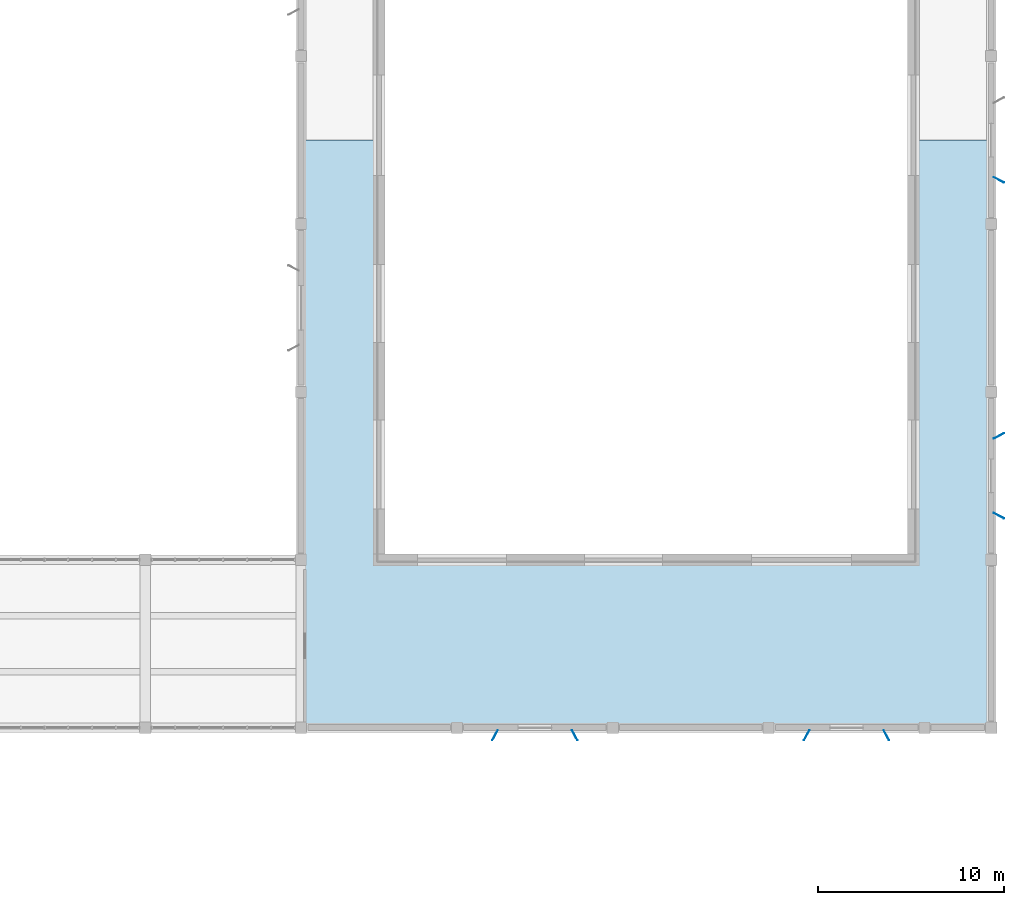
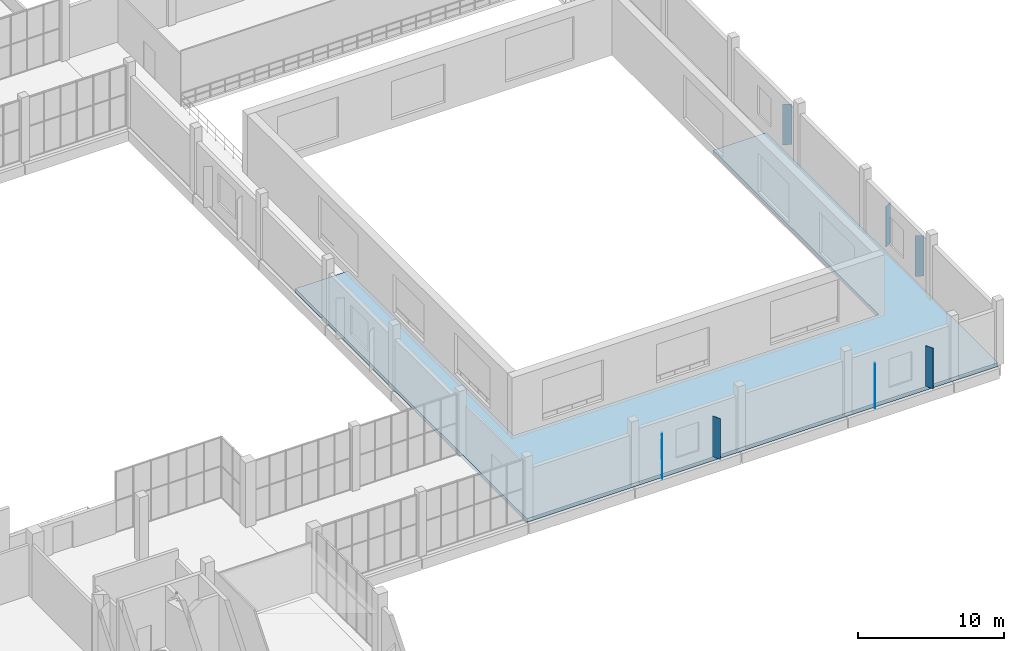
# One storey, part 109 of 132: 7 plates, 1 slab.
"""IFC4 building model written with IfcOpenShell, lengths in metres."""

from ifc_helpers import new_model, si_unit, direction, frame, origin, origin_2d, place, context, subcontext, project, spatial, polyline, rectangle, outline, extrude, material, layer, layer_set, type_object, element, save


model = new_model("IFC4")

# Units and contexts
model_context = context("Model", 3, precision=1e-05, world=origin(), true_north=direction((0.0, 1.0)))
body_context = subcontext(model_context, "Body", "Model", "MODEL_VIEW")
ifc_project = project(units=[si_unit("LENGTHUNIT", "METRE"), si_unit("AREAUNIT", "SQUARE_METRE"), si_unit("VOLUMEUNIT", "CUBIC_METRE"), si_unit("PLANEANGLEUNIT", "RADIAN"), si_unit("MASSUNIT", "GRAM", prefix="KILO")], contexts=[model_context])

# Site, building, storey
site_placement = place(None, origin())
site = spatial("IfcSite", under=ifc_project, at=site_placement, CompositionType="ELEMENT")
building_placement = place(site_placement, origin())
building = spatial("IfcBuilding", under=site, at=building_placement, Name="Khurvash Pelagic Aquarium", CompositionType="ELEMENT")
storey_placement = place(building_placement, frame((0.0, 0.0, 5.39990234375)))
storey = spatial("IfcBuildingStorey", under=building, at=storey_placement, Name="L01", CompositionType="ELEMENT", Elevation=5.39990234375)

# Slab
ifc_material_1 = material(Name="Concrete C40/50", Category="concrete")
ifc_layer_1 = layer(ifc_material_1, 0.31005859375)
ifc_layer_set_1 = layer_set([ifc_layer_1], Name="Concrete C40/50")
slab_type = type_object("IfcSlabType", Name="FS-310", PredefinedType="FLOOR", material=ifc_layer_set_1)
slab_placement = place(storey_placement, frame((0.0, 0.0, -0.309814453125)))
element("IfcSlab", 1, at=slab_placement, inside=storey, type_object=slab_type, Name="L01 Structural Floor Slab FS-310 V1_TANK.1", PredefinedType="FLOOR", context=body_context, shape_type="SweptSolid", body=[
    extrude(outline(polyline([(159.0, 52.375), (159.0, 29.75), (130.199951171875, 29.75), (130.199951171875, 52.375), (126.0, 52.375), (126.0, 20.699951171875), (163.199951171875, 20.699951171875), (163.199951171875, 52.375), (159.0, 52.375)])), origin(), (0.0, 0.0, 1.0), 0.309814453125),
])

# Plates
ifc_material_2 = material(Name="Anodised aluminium AW-5005", Category="aluminium")
ifc_layer_2 = layer(ifc_material_2, 0.02392578125)
ifc_layer_set_2 = layer_set([ifc_layer_2], Name="Anodised aluminium AW-5005")
plate_type = type_object("IfcPlateType", Name="SP-01", PredefinedType="SHEET", material=ifc_layer_set_2)
for number, where, z_axis, x_axis, name in (
    (2, (163.60791015625, 32.125, 0.150146484375), (0.0, 0.0, 1.0), (0.882947592859, -0.469471562786, 0.0), "L01 Parametric Folded Aluminium Solar Screen Fin SP-01 0125"),
    (3, (163.60791015625, 36.425048828125, 0.150146484375), (0.0, 0.0, 1.0), (0.882947592859, 0.469471562786, 0.0), "L01 Parametric Folded Aluminium Solar Screen Fin SP-01 0126"),
    (4, (163.60791015625, 50.22509765625, 0.150146484375), (0.0, 0.0, 1.0), (0.882947592859, -0.469471562786, 0.0), "L01 Parametric Folded Aluminium Solar Screen Fin SP-01 0127"),
    (5, (136.449951171875, 20.2919921875, 0.150146484375), (0.0, 0.0, 1.0), (-0.469471562786, -0.882947592859, 0.0), "L01 Parametric Folded Aluminium Solar Screen Fin SP-01 0131"),
    (6, (140.75, 20.2919921875, 0.150146484375), (0.0, 0.0, 1.0), (0.469471562786, -0.882947592859, 0.0), "L01 Parametric Folded Aluminium Solar Screen Fin SP-01 0132"),
    (7, (153.25, 20.2919921875, 0.150146484375), (0.0, 0.0, 1.0), (-0.469471562786, -0.882947592859, 0.0), "L01 Parametric Folded Aluminium Solar Screen Fin SP-01 0133"),
    (8, (157.550048828125, 20.2919921875, 0.150146484375), (0.0, 0.0, 1.0), (0.469471562786, -0.882947592859, 0.0), "L01 Parametric Folded Aluminium Solar Screen Fin SP-01 0134"),
):
    element("IfcPlate", number, at=place(storey_placement, frame(where, z_axis=z_axis, x_axis=x_axis)), inside=storey, type_object=plate_type, Name=name, PredefinedType="SHEET", context=body_context, shape_type="SweptSolid", body=[
        extrude(rectangle(XDim=0.6201171875, YDim=0.02392578125, at=origin_2d()), origin(), (0.0, 0.0, 1.0), 3.39990234375),
    ])

save(model, "model.ifc")
